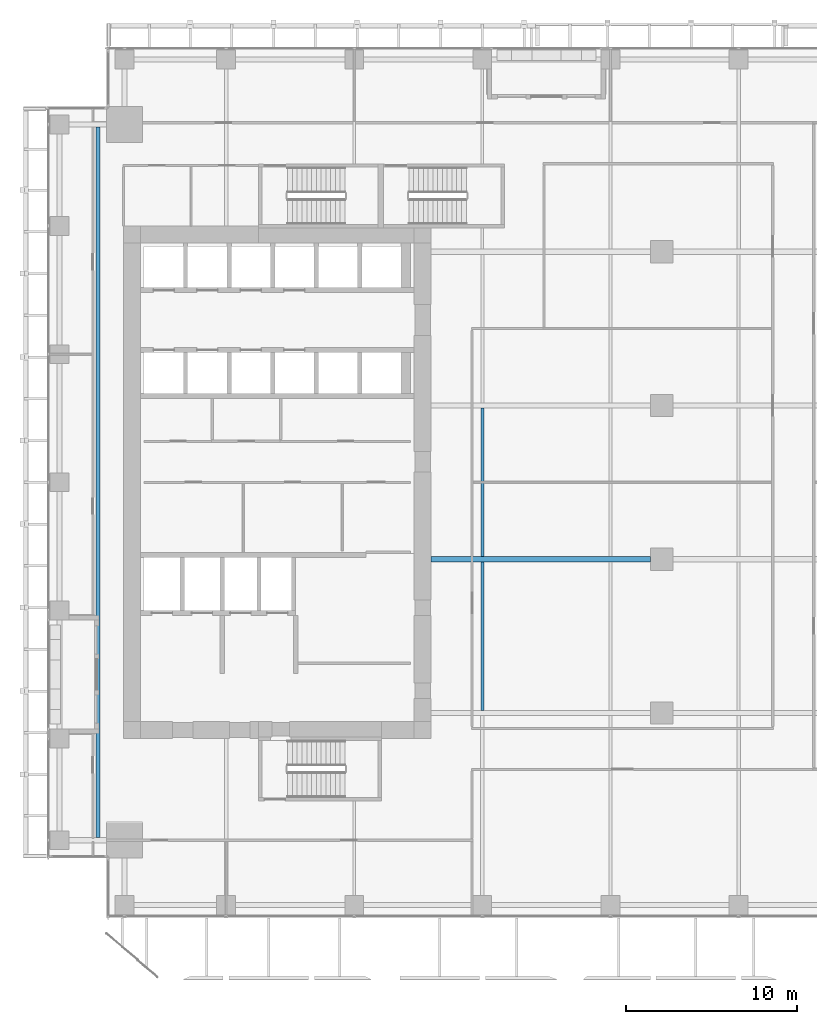
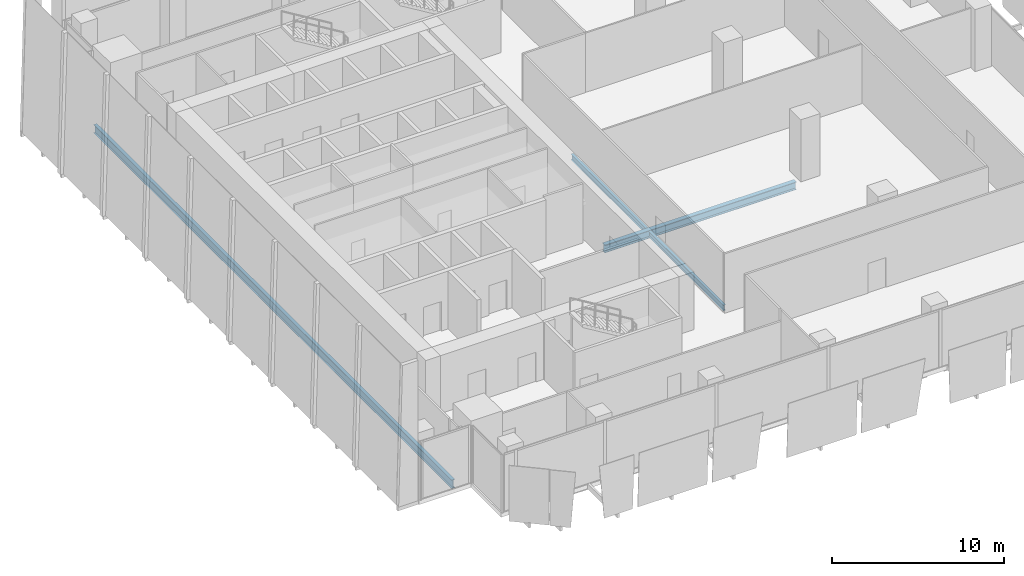
# One storey, part 8 of 34: 4 beams.
"""IFC4 building model written with IfcOpenShell, lengths in metres."""

from ifc_helpers import new_model, si_unit, direction, frame, origin, origin_2d, place, context, subcontext, project, spatial, i_section, extrude, source, transform, mapped, material, material_profile, profile_set, type_object, element, save


model = new_model("IFC4")

# Units and contexts
model_context = context("Model", 3, precision=1e-05, world=origin(), true_north=direction((0.0, 1.0)))
body_context = subcontext(model_context, "Body", "Model", "MODEL_VIEW")
ifc_project = project(units=[si_unit("LENGTHUNIT", "METRE"), si_unit("AREAUNIT", "SQUARE_METRE"), si_unit("VOLUMEUNIT", "CUBIC_METRE"), si_unit("PLANEANGLEUNIT", "RADIAN"), si_unit("MASSUNIT", "GRAM", prefix="KILO")], contexts=[model_context])

# Site, building, storey
site_placement = place(None, origin())
site = spatial("IfcSite", under=ifc_project, at=site_placement, CompositionType="ELEMENT")
building_placement = place(site_placement, origin())
building = spatial("IfcBuilding", under=site, at=building_placement, Name="Khomas Fold Tower", CompositionType="ELEMENT")
storey_placement = place(building_placement, frame((0.0, 0.0, 154.300048828125)))
storey = spatial("IfcBuildingStorey", under=building, at=storey_placement, Name="L33", CompositionType="ELEMENT", Elevation=154.300048828125)

# Beams
ifc_material_1 = material(Name="Steel S355", Category="steel")
ifc_material_profile_1 = material_profile(ifc_material_1, i_section(OverallWidth=0.179931640625, OverallDepth=0.39990234375, WebThickness=0.008544921875, FlangeThickness=0.013427734375, at=origin_2d()), Name="IPE 400")
ifc_profile_set_1 = profile_set([ifc_material_profile_1], Name="Steel S355")
beam_type_1 = type_object("IfcBeamType", Name="IPE 400 beam JB3", PredefinedType="BEAM", material=ifc_profile_set_1)
shared_shape_1 = source(origin(), body_context, "Body", "SweptSolid", [
    extrude(i_section(OverallWidth=0.179931640625, OverallDepth=0.39990234375, WebThickness=0.008544921875, FlangeThickness=0.013427734375, at=origin_2d()), origin(), (0.0, 0.0, 1.0), 8.7001953125),
])
for number, where, z_axis, x_axis, name in (
    (1, (27.0, 13.64990234375, -0.5), (0.0, 1.0, 0.0), (-1.0, 0.0, 0.0), "JB3"),
    (2, (27.0, 22.64990234375, -0.5), (0.0, 1.0, 0.0), (-1.0, 0.0, 0.0), "JB3"),
):
    element("IfcBeam", number, at=place(storey_placement, frame(where, z_axis=z_axis, x_axis=x_axis)), inside=storey, type_object=beam_type_1, Name=name, PredefinedType="BEAM", context=body_context, shape_type="MappedRepresentation", body=[
        mapped(shared_shape_1, transform((0.0, 0.0, 0.0))),
    ])
ifc_material_2 = material(Name="Steel S355", Category="steel")
ifc_material_profile_2 = material_profile(ifc_material_2, i_section(OverallWidth=0.300048828125, OverallDepth=0.550048828125, WebThickness=0.014892578125, FlangeThickness=0.029052734375, at=origin_2d()), Name="HE 550 B")
ifc_profile_set_2 = profile_set([ifc_material_profile_2], Name="Steel S355")
beam_type_2 = type_object("IfcBeamType", Name="HE 550 B beam GB4", PredefinedType="BEAM", material=ifc_profile_set_2)
shared_shape_2 = source(origin(), body_context, "Body", "SweptSolid", [
    extrude(i_section(OverallWidth=0.300048828125, OverallDepth=0.550048828125, WebThickness=0.014892578125, FlangeThickness=0.029052734375, at=origin_2d()), origin(), (0.0, 0.0, 1.0), 12.85009765625),
])
beam_1_placement = place(storey_placement, frame((24.0, 22.5, -0.574951171875), z_axis=(1.0, 0.0, 0.0), x_axis=(0.0, 1.0, 0.0)))
element("IfcBeam", 3, at=beam_1_placement, inside=storey, type_object=beam_type_2, Name="GB4", PredefinedType="BEAM", context=body_context, shape_type="MappedRepresentation", body=[
    mapped(shared_shape_2, transform((0.0, 0.0, 0.0))),
])
ifc_material_3 = material(Name="Steel S355", Category="steel")
ifc_material_profile_3 = material_profile(ifc_material_3, i_section(OverallWidth=0.219970703125, OverallDepth=0.60009765625, WebThickness=0.011962890625, FlangeThickness=0.01904296875, at=origin_2d()), Name="IPE 600")
ifc_profile_set_3 = profile_set([ifc_material_profile_3], Name="Steel S355")
beam_type_3 = type_object("IfcBeamType", Name="IPE 600 beam JB7", PredefinedType="BEAM", material=ifc_profile_set_3)
shared_shape_3 = source(origin(), body_context, "Body", "SweptSolid", [
    extrude(i_section(OverallWidth=0.219970703125, OverallDepth=0.60009765625, WebThickness=0.011962890625, FlangeThickness=0.01904296875, at=origin_2d()), origin(), (0.0, 0.0, 1.0), 41.60009765625),
])
beam_2_placement = place(storey_placement, frame((4.5, 6.199951171875, -0.60009765625), z_axis=(0.0, 1.0, 0.0), x_axis=(-1.0, 0.0, 0.0)))
element("IfcBeam", 4, at=beam_2_placement, inside=storey, type_object=beam_type_3, Name="JB7", PredefinedType="BEAM", context=body_context, shape_type="MappedRepresentation", body=[
    mapped(shared_shape_3, transform((0.0, 0.0, 0.0))),
])

save(model, "model.ifc")
